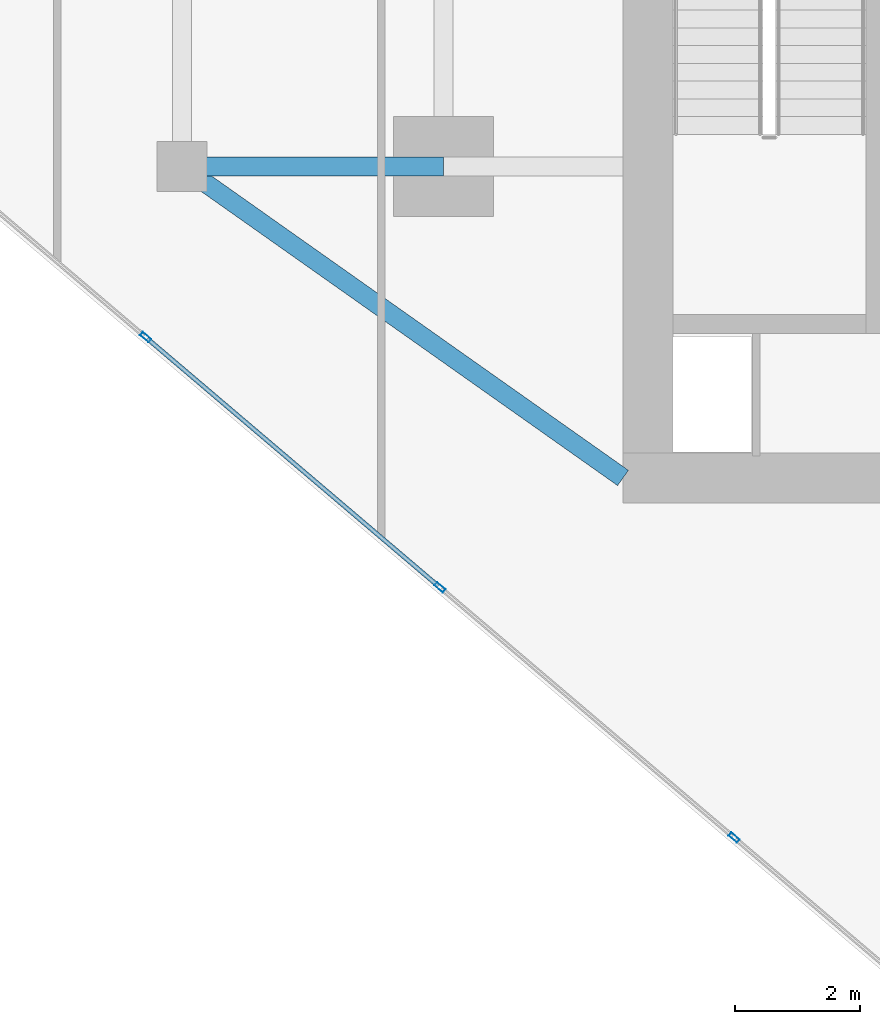
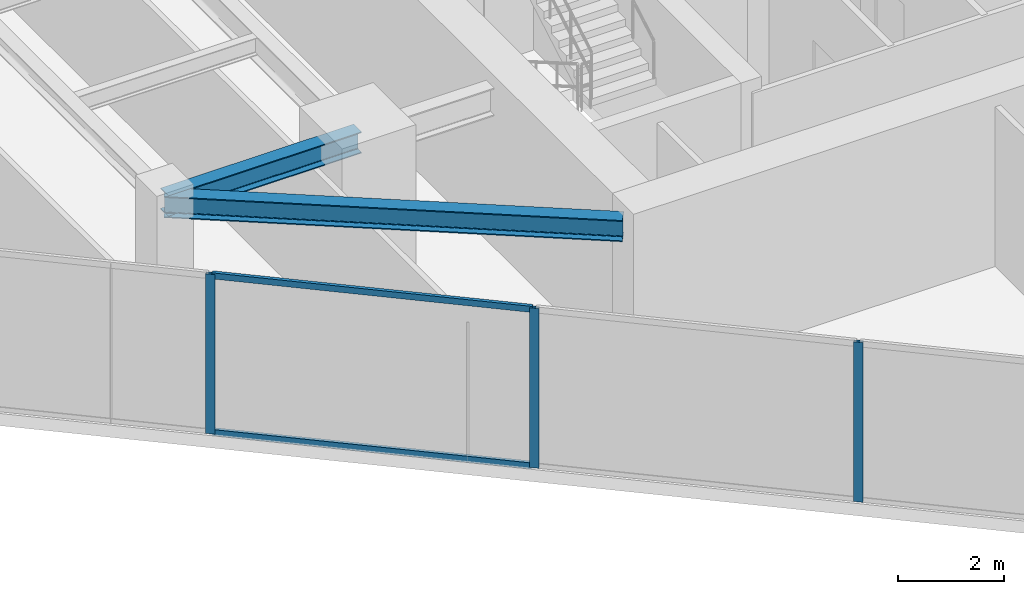
# One storey, part 2 of 25: 5 members, 2 beams, 1 element without a shape of its own.
"""IFC4 building model written with IfcOpenShell, lengths in metres."""

from ifc_helpers import new_model, si_unit, direction, frame, origin, origin_2d, place, context, subcontext, project, spatial, hollow_rectangle, i_section, extrude, source, transform, mapped, material, material_profile, profile_set, type_object, type_shapes, element, aggregate, save


model = new_model("IFC4")

# Units and contexts
model_context = context("Model", 3, precision=1e-05, world=origin(), true_north=direction((0.0, 1.0)))
body_context = subcontext(model_context, "Body", "Model", "MODEL_VIEW")
ifc_project = project(units=[si_unit("LENGTHUNIT", "METRE"), si_unit("AREAUNIT", "SQUARE_METRE"), si_unit("VOLUMEUNIT", "CUBIC_METRE"), si_unit("PLANEANGLEUNIT", "RADIAN"), si_unit("MASSUNIT", "GRAM", prefix="KILO")], contexts=[model_context])

# Site, building, storey
site_placement = place(None, origin())
site = spatial("IfcSite", under=ifc_project, at=site_placement, CompositionType="ELEMENT")
building_placement = place(site_placement, origin())
building = spatial("IfcBuilding", under=site, at=building_placement, Name="Krantzveldt Concourse Tower", CompositionType="ELEMENT")
storey_placement = place(building_placement, frame((0.0, 0.0, 211.25)))
storey = spatial("IfcBuildingStorey", under=building, at=storey_placement, Name="L51", CompositionType="ELEMENT", Elevation=211.25)

# Beams
ifc_material_1 = material(Name="Steel S355JR", Category="steel")
ifc_material_profile_1 = material_profile(ifc_material_1, i_section(OverallWidth=0.300048828125, OverallDepth=0.489990234375, WebThickness=0.011962890625, FlangeThickness=0.02294921875, FilletRadius=0.027099609375, at=origin_2d()), Name="Steel S355JR", Category="steel")
ifc_profile_set_1 = profile_set([ifc_material_profile_1], Name="Steel S355JR - HEA 500")
beam_type = type_object("IfcBeamType", Name="BM-B-HEA500", PredefinedType="BEAM", material=ifc_profile_set_1)
shared_shape_1 = source(origin(), body_context, "Body", "SweptSolid", [
    extrude(i_section(OverallWidth=0.300048828125, OverallDepth=0.489990234375, WebThickness=0.011962890625, FlangeThickness=0.02294921875, FilletRadius=0.027099609375, at=origin_2d()), origin(), (0.0, 0.0, 1.0), 4.199951171875),
])
beam_1_placement = place(storey_placement, frame((21.0, 15.89990234375, 3.425048828125), z_axis=(1.0, 0.0, 0.0), x_axis=(0.0, 1.0, 0.0)))
element("IfcBeam", 1, at=beam_1_placement, inside=storey, type_object=beam_type, Name="L51 Tower Girder BR-RL1", PredefinedType="BEAM", context=body_context, shape_type="MappedRepresentation", body=[
    mapped(shared_shape_1, transform((0.0, 0.0, 0.0), x_axis=(1.0, 0.0, 0.0), y_axis=(0.0, 1.0, 0.0), z_axis=(0.0, 0.0, 1.0), scale=1.0)),
])
shared_shape_2 = source(origin(), body_context, "Body", "SweptSolid", [
    extrude(i_section(OverallWidth=0.300048828125, OverallDepth=0.489990234375, WebThickness=0.011962890625, FlangeThickness=0.02294921875, FilletRadius=0.027099609375, at=origin_2d()), origin(), (0.0, 0.0, 1.0), 8.667724609375),
])
type_shapes(beam_type, [shared_shape_1, shared_shape_2])
beam_2_placement = place(storey_placement, frame((21.0, 15.89990234375, 3.425048828125), z_axis=(0.81684294656, -0.576860122261, 0.0), x_axis=(0.576860122261, 0.81684294656, 0.0)))
element("IfcBeam", 2, at=beam_2_placement, inside=storey, type_object=beam_type, Name="L51 Tower Girder BR-CSW", PredefinedType="BEAM", context=body_context, shape_type="MappedRepresentation", body=[
    mapped(shared_shape_2, transform((0.0, 0.0, 0.0), x_axis=(1.0, 0.0, 0.0), y_axis=(0.0, 1.0, 0.0), z_axis=(0.0, 0.0, 1.0), scale=1.0)),
])

# Curtain wall, members
ifc_material_2 = material(Name="Anodised aluminium 6063-T6", Category="aluminium")
curtain_wall_type = type_object("IfcCurtainWallType", Name="CW3", PredefinedType="USERDEFINED", material=ifc_material_2)
curtain_wall_placement = place(storey_placement, origin())
curtain_wall = element("IfcCurtainWall", 3, at=curtain_wall_placement, inside=storey, type_object=curtain_wall_type, Name="CW-L51-F04", ObjectType="UNITISED CURTAIN WALL", PredefinedType="USERDEFINED")
ifc_material_profile_2 = material_profile(ifc_material_2, hollow_rectangle(XDim=0.070068359375, YDim=0.179931640625, WallThickness=0.0048828125, at=origin_2d()), Name="Anodised aluminium 6063-T6", Category="aluminium")
ifc_profile_set_2 = profile_set([ifc_material_profile_2], Name="Anodised aluminium 6063-T6 - ALU-MULL 180x70x5")
member_type_1 = type_object("IfcMemberType", Name="CW-MUL-180", PredefinedType="MULLION", material=ifc_profile_set_2)
shared_shape_3 = source(origin(), body_context, "Body", "SweptSolid", [
    extrude(hollow_rectangle(XDim=0.070068359375, YDim=0.179931640625, WallThickness=0.0048828125, at=origin_2d()), origin(), (0.0, 0.0, 1.0), 3.669921875),
])
type_shapes(member_type_1, [shared_shape_3])
member_1_placement = place(storey_placement, frame((20.4169921875, 13.159423828125, 0.0), z_axis=(0.0, 0.0, 1.0), x_axis=(0.647787694805, 0.761820912327, 0.0)))
member_1 = element("IfcMember", 4, at=member_1_placement, type_object=member_type_1, Name="CW-Z34 mullion 3", PredefinedType="MULLION", context=body_context, shape_type="MappedRepresentation", body=[
    mapped(shared_shape_3, transform((0.0, 0.0, 0.0), x_axis=(1.0, 0.0, 0.0), y_axis=(0.0, 1.0, 0.0), z_axis=(0.0, 0.0, 1.0), scale=1.0)),
])
member_2_placement = place(storey_placement, frame((25.140380859375, 9.14306640625, 0.0), z_axis=(0.0, 0.0, 1.0), x_axis=(0.647787694805, 0.761820912327, 0.0)))
member_2 = element("IfcMember", 5, at=member_2_placement, type_object=member_type_1, Name="CW-Z34 mullion 4", PredefinedType="MULLION", context=body_context, shape_type="MappedRepresentation", body=[
    mapped(shared_shape_3, transform((0.0, 0.0, 0.0), x_axis=(1.0, 0.0, 0.0), y_axis=(0.0, 1.0, 0.0), z_axis=(0.0, 0.0, 1.0), scale=1.0)),
])
member_3_placement = place(storey_placement, frame((29.863525390625, 5.126708984375, 0.0), z_axis=(0.0, 0.0, 1.0), x_axis=(0.647787694805, 0.761820912327, 0.0)))
member_3 = element("IfcMember", 6, at=member_3_placement, type_object=member_type_1, Name="CW-Z34 mullion 5", PredefinedType="MULLION", context=body_context, shape_type="MappedRepresentation", body=[
    mapped(shared_shape_3, transform((0.0, 0.0, 0.0), x_axis=(1.0, 0.0, 0.0), y_axis=(0.0, 1.0, 0.0), z_axis=(0.0, 0.0, 1.0), scale=1.0)),
])
ifc_material_profile_3 = material_profile(ifc_material_2, hollow_rectangle(XDim=0.070068359375, YDim=0.139892578125, WallThickness=0.0048828125, at=origin_2d()), Name="Anodised aluminium 6063-T6", Category="aluminium")
ifc_profile_set_3 = profile_set([ifc_material_profile_3], Name="Anodised aluminium 6063-T6 - ALU-TRAN 140x70x5")
member_type_2 = type_object("IfcMemberType", Name="CW-TRN-150", PredefinedType="USERDEFINED", material=ifc_profile_set_3)
shared_shape_4 = source(origin(), body_context, "Body", "SweptSolid", [
    extrude(hollow_rectangle(XDim=0.070068359375, YDim=0.139892578125, WallThickness=0.0048828125, at=origin_2d()), origin(), (0.0, 0.0, 1.0), 6.1298828125),
])
type_shapes(member_type_2, [shared_shape_4])
member_4_placement = place(storey_placement, frame((20.443603515625, 13.13671875, 0.034912109375), z_axis=(0.761817452252, -0.647791763952, 0.0), x_axis=(0.647791763952, 0.761817452252, 0.0)))
member_4 = element("IfcMember", 7, at=member_4_placement, type_object=member_type_2, Name="CW-Z34 transom 3.1", ObjectType="TRANSOM", PredefinedType="USERDEFINED", context=body_context, shape_type="MappedRepresentation", body=[
    mapped(shared_shape_4, transform((0.0, 0.0, 0.0), x_axis=(1.0, 0.0, 0.0), y_axis=(0.0, 1.0, 0.0), z_axis=(0.0, 0.0, 1.0), scale=1.0)),
])
member_5_placement = place(storey_placement, frame((20.443603515625, 13.13671875, 3.635009765625), z_axis=(0.761817452252, -0.647791763952, 0.0), x_axis=(0.647791763952, 0.761817452252, 0.0)))
member_5 = element("IfcMember", 8, at=member_5_placement, type_object=member_type_2, Name="CW-Z34 transom 3.2", ObjectType="TRANSOM", PredefinedType="USERDEFINED", context=body_context, shape_type="MappedRepresentation", body=[
    mapped(shared_shape_4, transform((0.0, 0.0, 0.0), x_axis=(1.0, 0.0, 0.0), y_axis=(0.0, 1.0, 0.0), z_axis=(0.0, 0.0, 1.0), scale=1.0)),
])
aggregate(curtain_wall, [member_1, member_2, member_3, member_4, member_5])

save(model, "model.ifc")
